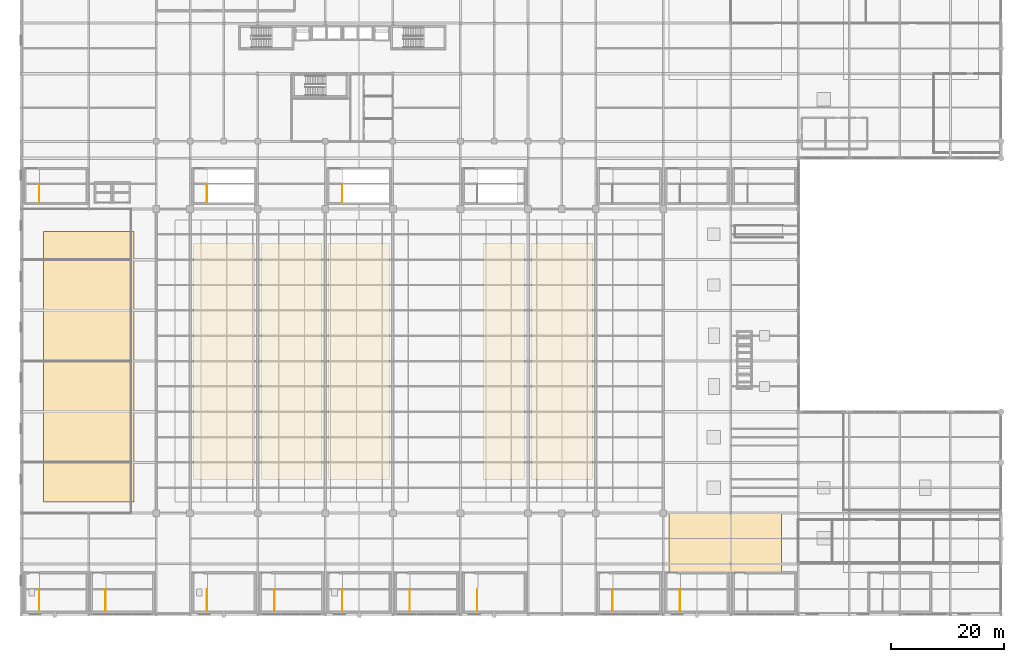
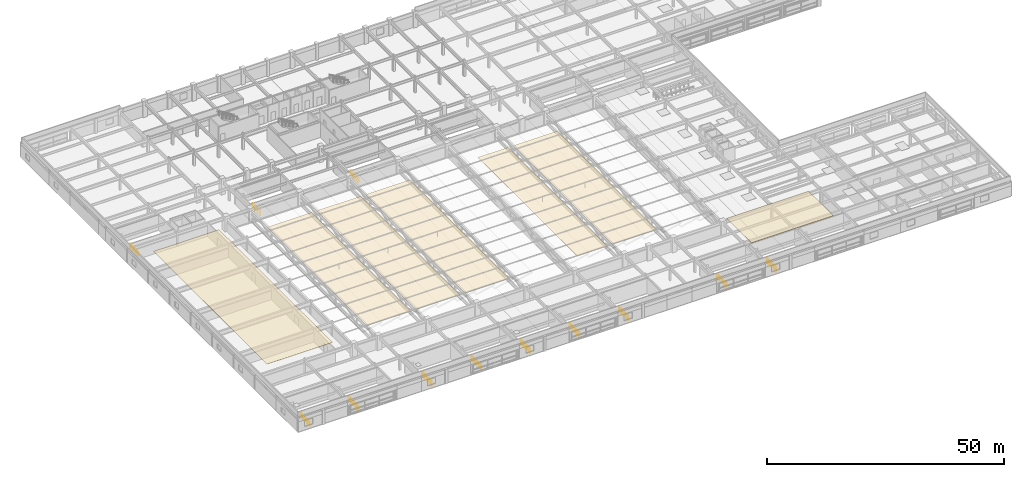
# One storey, part 105 of 108: 12 railings, 7 coverings.
"""IFC4 building model written with IfcOpenShell, lengths in metres."""

from ifc_helpers import new_model, si_unit, direction, frame, origin, origin_2d, place, context, subcontext, project, spatial, polyline, circle, outline, extrude, material, layer, layer_set, type_object, element, save


model = new_model("IFC4")

# Units and contexts
model_context = context("Model", 3, precision=1e-05, world=origin(), true_north=direction((0.0, 1.0)))
body_context = subcontext(model_context, "Body", "Model", "MODEL_VIEW")
ifc_project = project(units=[si_unit("LENGTHUNIT", "METRE"), si_unit("AREAUNIT", "SQUARE_METRE"), si_unit("VOLUMEUNIT", "CUBIC_METRE"), si_unit("PLANEANGLEUNIT", "RADIAN"), si_unit("MASSUNIT", "GRAM", prefix="KILO")], contexts=[model_context])

# Site, building, storey
site_placement = place(None, origin())
site = spatial("IfcSite", under=ifc_project, at=site_placement, CompositionType="ELEMENT")
building_placement = place(site_placement, origin())
building = spatial("IfcBuilding", under=site, at=building_placement, Name="Kaldorvane Square Convention Centre", CompositionType="ELEMENT")
storey_placement = place(building_placement, frame((0.0, 0.0, 23.399993896484375)))
storey = spatial("IfcBuildingStorey", under=building, at=storey_placement, Name="L04", CompositionType="ELEMENT", Elevation=23.399993896484375)

# Coverings
ifc_material_1 = material(Name="Perforated Acoustic Mineral Fiber Ceiling")
ifc_layer_1 = layer(ifc_material_1, 0.0399932861328125)
ifc_layer_set_1 = layer_set([ifc_layer_1], Name="Perforated Acoustic Mineral Fiber Ceiling")
covering_type_1 = type_object("IfcCoveringType", Name="CV-CEIL-040", PredefinedType="CEILING", material=ifc_layer_set_1)
covering_1_placement = place(storey_placement, frame((0.0, 0.0, 2.0)))
element("IfcCovering", 1, at=covering_1_placement, inside=storey, type_object=covering_type_1, Name="Acoustic Ceiling Canopy 06 (L04)", PredefinedType="CEILING", context=body_context, shape_type="SweptSolid", body=[
    extrude(outline(polyline([(30.600006103515625, 24.0), (41.399993896484375, 24.0), (41.399993896484375, 66.0), (30.600006103515625, 66.0), (30.600006103515625, 24.0)])), origin(), (0.0, 0.0, 1.0), 0.040008544921875),
])
covering_2_placement = place(storey_placement, frame((0.0, 0.0, 2.0)))
element("IfcCovering", 2, at=covering_2_placement, inside=storey, type_object=covering_type_1, Name="Acoustic Ceiling Canopy 07 (L04)", PredefinedType="CEILING", context=body_context, shape_type="SweptSolid", body=[
    extrude(outline(polyline([(42.600006103515625, 24.0), (53.399993896484375, 24.0), (53.399993896484375, 66.0), (42.600006103515625, 66.0), (42.600006103515625, 24.0)])), origin(), (0.0, 0.0, 1.0), 0.040008544921875),
])
covering_3_placement = place(storey_placement, frame((0.0, 0.0, 2.0)))
element("IfcCovering", 3, at=covering_3_placement, inside=storey, type_object=covering_type_1, Name="Acoustic Ceiling Canopy 08 (L04)", PredefinedType="CEILING", context=body_context, shape_type="SweptSolid", body=[
    extrude(outline(polyline([(54.600006103515625, 24.0), (65.39999389648438, 24.0), (65.39999389648438, 66.0), (54.600006103515625, 66.0), (54.600006103515625, 24.0)])), origin(), (0.0, 0.0, 1.0), 0.040008544921875),
])
covering_4_placement = place(storey_placement, frame((0.0, 0.0, 2.0)))
element("IfcCovering", 4, at=covering_4_placement, inside=storey, type_object=covering_type_1, Name="Acoustic Ceiling Canopy 09 (L04)", PredefinedType="CEILING", context=body_context, shape_type="SweptSolid", body=[
    extrude(outline(polyline([(82.0, 24.0), (89.39999389648438, 24.0), (89.39999389648438, 66.0), (82.0, 66.0), (82.0, 24.0)])), origin(), (0.0, 0.0, 1.0), 0.040008544921875),
])
covering_5_placement = place(storey_placement, frame((0.0, 0.0, 2.0)))
element("IfcCovering", 5, at=covering_5_placement, inside=storey, type_object=covering_type_1, Name="Acoustic Ceiling Canopy 10 (L04)", PredefinedType="CEILING", context=body_context, shape_type="SweptSolid", body=[
    extrude(outline(polyline([(90.60000610351562, 24.0), (101.39999389648438, 24.0), (101.39999389648438, 66.0), (90.60000610351562, 66.0), (90.60000610351562, 24.0)])), origin(), (0.0, 0.0, 1.0), 0.040008544921875),
])
ifc_material_2 = material(Name="SBS Modified Bitumen Cool Roof Membrane")
ifc_layer_2 = layer(ifc_material_2, 0.0449981689453125)
ifc_layer_set_2 = layer_set([ifc_layer_2], Name="SBS Modified Bitumen Cool Roof Membrane")
covering_type_2 = type_object("IfcCoveringType", Name="CV-ROOF-045", PredefinedType="ROOFING", material=ifc_layer_set_2)
covering_6_placement = place(storey_placement, frame((0.0, 0.0, 3.850006103515625)))
element("IfcCovering", 6, at=covering_6_placement, inside=storey, type_object=covering_type_2, Name="Cool Roof Waterproofing Membrane 01", PredefinedType="ROOFING", context=body_context, shape_type="SweptSolid", body=[
    extrude(outline(polyline([(4.0, 20.0), (20.0, 20.0), (20.0, 68.0), (4.0, 68.0), (4.0, 20.0)])), origin(), (0.0, 0.0, 1.0), 0.0449981689453125),
])
covering_7_placement = place(storey_placement, frame((0.0, 0.0, 3.850006103515625)))
element("IfcCovering", 7, at=covering_7_placement, inside=storey, type_object=covering_type_2, Name="Cool Roof Waterproofing Membrane 02", PredefinedType="ROOFING", context=body_context, shape_type="SweptSolid", body=[
    extrude(outline(polyline([(115.0, 7.5), (135.0, 7.5), (135.0, 18.0), (115.0, 18.0), (115.0, 7.5)])), origin(), (0.0, 0.0, 1.0), 0.0449981689453125),
])

# Railings
ifc_material_3 = material(Name="Architectural Painted Steel", Category="steel")
railing_type = type_object("IfcRailingType", Name="RL-GUARD-1120", PredefinedType="BALUSTRADE", material=ifc_material_3)
for number, where, name in (
    (8, (3.2100067138671875, 0.589996337890625, 0.0), "Convention Exit Stair C1 Floor Well Guard (L04)"),
    (9, (14.990005493164062, 0.589996337890625, 0.0), "Convention Exit Stair C2 Floor Well Guard (L04)"),
    (10, (32.99000549316406, 0.589996337890625, 0.0), "Convention Exit Stair C3 Floor Well Guard (L04)"),
    (11, (44.99000549316406, 0.589996337890625, 0.0), "Convention Exit Stair C4 Floor Well Guard (L04)"),
    (12, (56.99000549316406, 0.589996337890625, 0.0), "Convention Exit Stair C5 Floor Well Guard (L04)"),
    (13, (68.99000549316406, 0.589996337890625, 0.0), "Convention Exit Stair C6 Floor Well Guard (L04)"),
    (14, (80.99000549316406, 0.589996337890625, 0.0), "Convention Exit Stair C7 Floor Well Guard (L04)"),
    (15, (104.99000549316406, 0.589996337890625, 0.0), "Convention Exit Stair C8 Floor Well Guard (L04)"),
    (16, (116.99000549316406, 0.589996337890625, 0.0), "Convention Exit Stair C9 Floor Well Guard (L04)"),
):
    element("IfcRailing", number, at=place(storey_placement, frame(where)), inside=storey, type_object=railing_type, Name=name, PredefinedType="BALUSTRADE", context=body_context, shape_type="SweptSolid", body=[
        extrude(circle(Radius=0.0240020751953125, at=origin_2d()), frame((0.0, 0.0, 1.0959930419921875), z_axis=(0.0, 1.0, 0.0), x_axis=(-1.0, 0.0, 0.0)), (0.0, 0.0, 1.0), 3.910003662109375),
        extrude(circle(Radius=0.02099609375, at=origin_2d()), origin(), (0.0, 0.0, 1.0), 1.071990966796875),
        extrude(circle(Radius=0.02099609375, at=origin_2d()), frame((0.0, 0.977508544921875, 0.0)), (0.0, 0.0, 1.0), 1.071990966796875),
        extrude(circle(Radius=0.02099609375, at=origin_2d()), frame((0.0, 1.9550018310546875, 0.0)), (0.0, 0.0, 1.0), 1.071990966796875),
        extrude(circle(Radius=0.02099609375, at=origin_2d()), frame((0.0, 2.9324951171875, 0.0)), (0.0, 0.0, 1.0), 1.071990966796875),
        extrude(circle(Radius=0.02099609375, at=origin_2d()), frame((0.0, 3.910003662109375, 0.0)), (0.0, 0.0, 1.0), 1.071990966796875),
    ])
for number, where, name in (
    (17, (3.2100067138671875, 73.13999938964844, 0.0), "Convention Exit Stair C12 Floor Well Guard (L04)"),
    (18, (32.99000549316406, 73.13999938964844, 0.0), "Convention Exit Stair C13 Floor Well Guard (L04)"),
    (19, (56.99000549316406, 73.13999938964844, 0.0), "Convention Exit Stair C14 Floor Well Guard (L04)"),
):
    element("IfcRailing", number, at=place(storey_placement, frame(where)), inside=storey, type_object=railing_type, Name=name, PredefinedType="BALUSTRADE", context=body_context, shape_type="SweptSolid", body=[
        extrude(circle(Radius=0.0240020751953125, at=origin_2d()), frame((0.0, 0.0, 1.0959930419921875), z_axis=(0.0, 1.0, 0.0), x_axis=(-1.0, 0.0, 0.0)), (0.0, 0.0, 1.0), 3.160003662109375),
        extrude(circle(Radius=0.02099609375, at=origin_2d()), origin(), (0.0, 0.0, 1.0), 1.071990966796875),
        extrude(circle(Radius=0.02099609375, at=origin_2d()), frame((0.0, 1.0533294677734375, 0.0)), (0.0, 0.0, 1.0), 1.071990966796875),
        extrude(circle(Radius=0.02099609375, at=origin_2d()), frame((0.0, 2.1066741943359375, 0.0)), (0.0, 0.0, 1.0), 1.071990966796875),
        extrude(circle(Radius=0.02099609375, at=origin_2d()), frame((0.0, 3.160003662109375, 0.0)), (0.0, 0.0, 1.0), 1.071990966796875),
    ])

save(model, "model.ifc")
